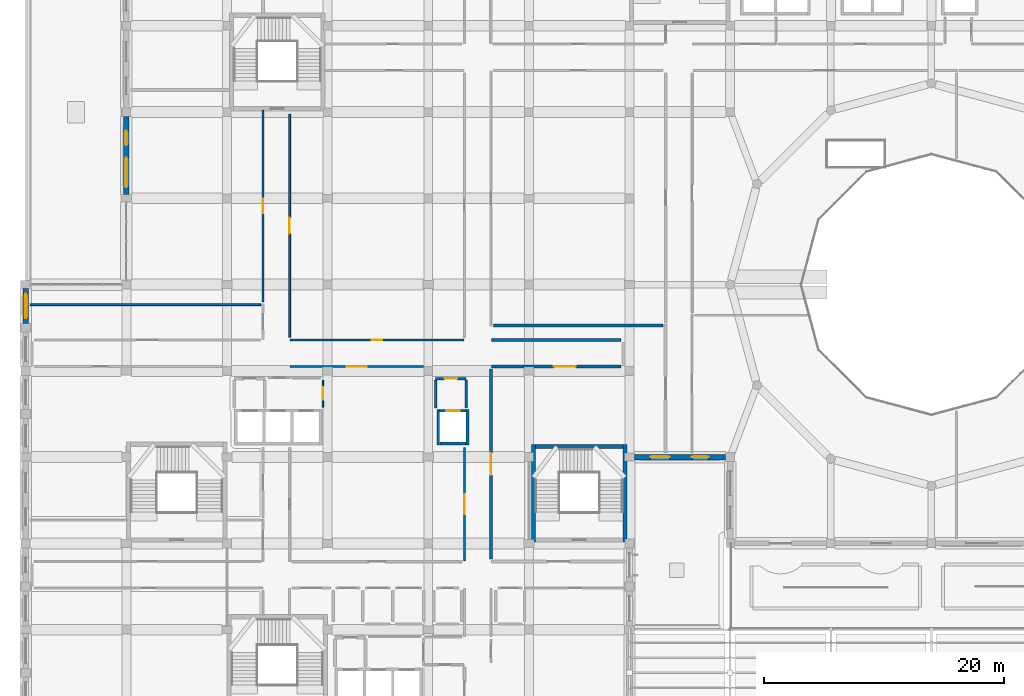
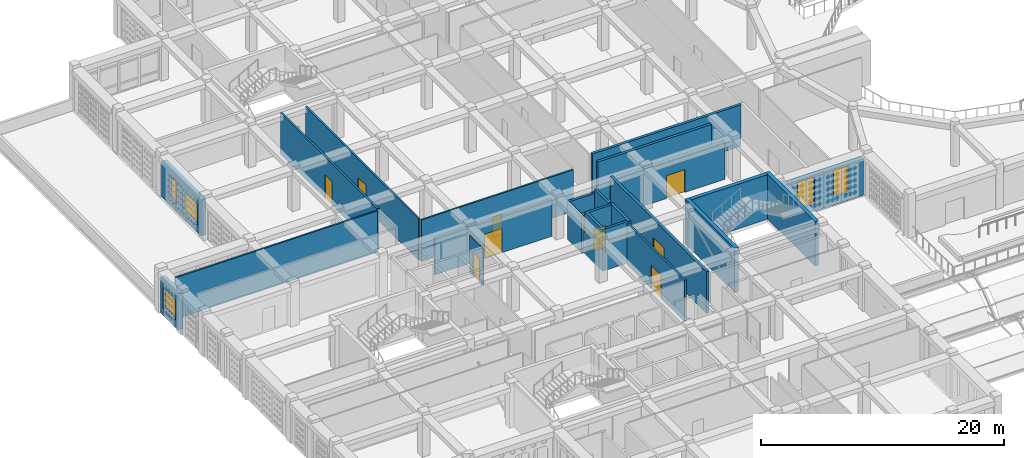
# One storey, part 56 of 100: 24 walls, 10 doors, 5 windows, 15 openings.
"""IFC4 building model written with IfcOpenShell, lengths in metres."""

from ifc_helpers import new_model, si_unit, derived_unit, direction, frame, frame_2d, origin, place, context, subcontext, project, spatial, rectangle, extrude, material, layer, layer_set, type_object, element, fill, save


model = new_model("IFC4")

# Units and contexts
model_context = context("Model", 3, precision=1e-05, world=origin(), true_north=direction((0.0, 1.0)))
body_context = subcontext(model_context, "Body", "Model", "MODEL_VIEW")
ifc_project = project(units=[si_unit("LENGTHUNIT", "METRE"), si_unit("AREAUNIT", "SQUARE_METRE"), si_unit("VOLUMEUNIT", "CUBIC_METRE"), si_unit("PLANEANGLEUNIT", "RADIAN"), si_unit("MASSUNIT", "GRAM", prefix="KILO"), derived_unit("THERMALTRANSMITTANCEUNIT", [(si_unit("POWERUNIT", "WATT"), 1), (si_unit("LENGTHUNIT", "METRE"), -2), (si_unit("THERMODYNAMICTEMPERATUREUNIT", "KELVIN"), -1)])], contexts=[model_context])

# Site, building, storey
site_placement = place(None, origin())
site = spatial("IfcSite", under=ifc_project, at=site_placement, CompositionType="ELEMENT")
building_placement = place(site_placement, origin())
building = spatial("IfcBuilding", under=site, at=building_placement, Name="Veybourne Emporium", CompositionType="ELEMENT")
storey_placement = place(building_placement, frame((0.0, 0.0, 14.39990234375)))
storey = spatial("IfcBuildingStorey", under=building, at=storey_placement, Name="L03", CompositionType="ELEMENT", Elevation=14.39990234375)

# Wall, opening, window
ifc_material_1 = material(Name="Portland Limestone Ashlar", Category="masonry")
ifc_layer_1 = layer(ifc_material_1, 0.47998046875)
ifc_layer_set_1 = layer_set([ifc_layer_1], Name="Portland Limestone Ashlar")
wall_type_1 = type_object("IfcWallType", Name="ExtWall_EW-01", PredefinedType="SOLIDWALL", material=ifc_layer_set_1)
wall_1_placement = place(storey_placement, frame((0.0, 47.169921875, 0.0), z_axis=(0.0, 0.0, 1.0), x_axis=(0.0, 1.0, 0.0)))
wall_1 = element("IfcWall", 1, at=wall_1_placement, inside=storey, type_object=wall_type_1, Name="L03 Portland stone external wall 007B", PredefinedType="SOLIDWALL", context=body_context, shape_type="SweptSolid", body=[
    extrude(rectangle(XDim=2.905029296875, YDim=0.47998046875, at=frame_2d((1.45263671875, 0.0))), origin(), (0.0, 0.0, 1.0), 3.630126953125),
])
opening_1_placement = place(wall_1_placement, frame((0.427490234375, 0.0, 0.75)))
opening_1 = element("IfcOpeningElement", 2, at=opening_1_placement, cuts=wall_1, Name="Opening W-15", PredefinedType="OPENING", context=body_context, shape_type="SweptSolid", body=[
    extrude(rectangle(XDim=2.050048828125, YDim=2.080078125, at=frame_2d((1.02490234375, 1.0400390625))), frame((0.0, 0.260009765625, 0.0), z_axis=(0.0, -1.0, 0.0), x_axis=(1.0, 0.0, 0.0)), (0.0, 0.0, 1.0), 0.52001953125),
])
ifc_material_2 = material(Name="Low-E Triple Glazing", Category="glass")
window_type_1 = type_object("IfcWindowType", Name="Win_W-15", PartitioningType="TRIPLE_PANEL_VERTICAL", PredefinedType="WINDOW", material=ifc_material_2)
window_1_placement = place(opening_1_placement, origin())
window_1 = element("IfcWindow", 3, at=window_1_placement, inside=storey, type_object=window_type_1, Name="L03 tripartite bronze casement window W-15 (7B)", OverallHeight=2.080078125, OverallWidth=2.050048828125, PartitioningType="TRIPLE_PANEL_VERTICAL", PredefinedType="WINDOW", context=body_context, shape_type="SweptSolid", body=[
    extrude(rectangle(XDim=2.050048828125, YDim=2.080078125, at=frame_2d((1.02490234375, 1.0400390625))), frame((0.0, 0.030029296875, 0.0), z_axis=(0.0, -1.0, 0.0), x_axis=(1.0, 0.0, 0.0)), (0.0, 0.0, 1.0), 0.06005859375),
])
fill(opening_1, window_1)

# Wall, openings, windows
wall_2_placement = place(storey_placement, frame((8.39990234375, 57.925048828125, 0.0), z_axis=(0.0, 0.0, 1.0), x_axis=(0.0, 1.0, 0.0)))
wall_2 = element("IfcWall", 4, at=wall_2_placement, inside=storey, type_object=wall_type_1, Name="L03 Portland stone external wall 010", PredefinedType="SOLIDWALL", context=body_context, shape_type="SweptSolid", body=[
    extrude(rectangle(XDim=6.52490234375, YDim=0.47998046875, at=frame_2d((3.262451171875, 0.0))), origin(), (0.0, 0.0, 1.0), 3.630126953125),
])
opening_2_placement = place(wall_2_placement, frame((0.5869140625, 0.0, 0.75)))
opening_2 = element("IfcOpeningElement", 5, at=opening_2_placement, cuts=wall_2, Name="Opening W-16", PredefinedType="OPENING", context=body_context, shape_type="SweptSolid", body=[
    extrude(rectangle(XDim=2.47998046875, YDim=2.080078125, at=frame_2d((1.239990234375, 1.0400390625))), frame((0.0, 0.260009765625, 0.0), z_axis=(0.0, -1.0, 0.0), x_axis=(1.0, 0.0, 0.0)), (0.0, 0.0, 1.0), 0.52001953125),
])
opening_3_placement = place(wall_2_placement, frame((4.097900390625, 0.0, 0.75)))
opening_3 = element("IfcOpeningElement", 6, at=opening_3_placement, cuts=wall_2, Name="Opening W-17", PredefinedType="OPENING", context=body_context, shape_type="SweptSolid", body=[
    extrude(rectangle(XDim=1.199951171875, YDim=2.260009765625, at=frame_2d((0.60009765625, 1.1298828125))), frame((0.0, 0.260009765625, 0.0), z_axis=(0.0, -1.0, 0.0), x_axis=(1.0, 0.0, 0.0)), (0.0, 0.0, 1.0), 0.52001953125),
])
window_type_2 = type_object("IfcWindowType", Name="Win_W-16", PartitioningType="TRIPLE_PANEL_VERTICAL", PredefinedType="WINDOW", material=ifc_material_2)
window_2_placement = place(opening_2_placement, origin())
window_2 = element("IfcWindow", 7, at=window_2_placement, inside=storey, type_object=window_type_2, Name="L03 tripartite bronze casement window W-16 (10.1)", OverallHeight=2.080078125, OverallWidth=2.47998046875, PartitioningType="TRIPLE_PANEL_VERTICAL", PredefinedType="WINDOW", context=body_context, shape_type="SweptSolid", body=[
    extrude(rectangle(XDim=2.47998046875, YDim=2.080078125, at=frame_2d((1.239990234375, 1.0400390625))), frame((0.0, 0.030029296875, 0.0), z_axis=(0.0, -1.0, 0.0), x_axis=(1.0, 0.0, 0.0)), (0.0, 0.0, 1.0), 0.06005859375),
])
fill(opening_2, window_2)
window_type_3 = type_object("IfcWindowType", Name="Win_W-17", PartitioningType="SINGLE_PANEL", PredefinedType="WINDOW", material=ifc_material_2)
window_3_placement = place(opening_3_placement, origin())
window_3 = element("IfcWindow", 8, at=window_3_placement, inside=storey, type_object=window_type_3, Name="L03 tripartite bronze casement window W-17 (10.2)", OverallHeight=2.260009765625, OverallWidth=1.199951171875, PartitioningType="SINGLE_PANEL", PredefinedType="WINDOW", context=body_context, shape_type="SweptSolid", body=[
    extrude(rectangle(XDim=1.199951171875, YDim=2.260009765625, at=frame_2d((0.60009765625, 1.1298828125))), frame((0.0, 0.030029296875, 0.0), z_axis=(0.0, -1.0, 0.0), x_axis=(1.0, 0.0, 0.0)), (0.0, 0.0, 1.0), 0.06005859375),
])
fill(opening_3, window_3)

wall_3_placement = place(storey_placement, frame((58.425048828125, 36.0, 0.0), z_axis=(0.0, 0.0, 1.0), x_axis=(-1.0, 0.0, 0.0)))
wall_3 = element("IfcWall", 9, at=wall_3_placement, inside=storey, type_object=wall_type_1, Name="L03 Portland stone external wall 032", PredefinedType="SOLIDWALL", context=body_context, shape_type="SweptSolid", body=[
    extrude(rectangle(XDim=7.60009765625, YDim=0.47998046875, at=frame_2d((3.800048828125, 0.0))), origin(), (0.0, 0.0, 1.0), 3.630126953125),
])
opening_4_placement = place(wall_3_placement, frame((1.427978515625, 0.0, 0.75)))
opening_4 = element("IfcOpeningElement", 10, at=opening_4_placement, cuts=wall_3, Name="Opening W-42", PredefinedType="OPENING", context=body_context, shape_type="SweptSolid", body=[
    extrude(rectangle(XDim=1.39990234375, YDim=2.72998046875, at=frame_2d((0.699951171875, 1.364990234375))), frame((0.0, 0.260009765625, 0.0), z_axis=(0.0, -1.0, 0.0), x_axis=(1.0, 0.0, 0.0)), (0.0, 0.0, 1.0), 0.52001953125),
])
opening_5_placement = place(wall_3_placement, frame((4.672119140625, 0.0, 0.75)))
opening_5 = element("IfcOpeningElement", 11, at=opening_5_placement, cuts=wall_3, Name="Opening W-43", PredefinedType="OPENING", context=body_context, shape_type="SweptSolid", body=[
    extrude(rectangle(XDim=1.60009765625, YDim=2.72998046875, at=frame_2d((0.800048828125, 1.364990234375))), frame((0.0, 0.260009765625, 0.0), z_axis=(0.0, -1.0, 0.0), x_axis=(1.0, 0.0, 0.0)), (0.0, 0.0, 1.0), 0.52001953125),
])
window_type_4 = type_object("IfcWindowType", Name="Win_W-42", PartitioningType="DOUBLE_PANEL_VERTICAL", PredefinedType="WINDOW", material=ifc_material_2)
window_4_placement = place(opening_4_placement, origin())
window_4 = element("IfcWindow", 12, at=window_4_placement, inside=storey, type_object=window_type_4, Name="L03 tripartite bronze casement window W-42 (32.1)", OverallHeight=2.72998046875, OverallWidth=1.39990234375, PartitioningType="DOUBLE_PANEL_VERTICAL", PredefinedType="WINDOW", context=body_context, shape_type="SweptSolid", body=[
    extrude(rectangle(XDim=1.39990234375, YDim=2.72998046875, at=frame_2d((0.699951171875, 1.364990234375))), frame((0.0, 0.030029296875, 0.0), z_axis=(0.0, -1.0, 0.0), x_axis=(1.0, 0.0, 0.0)), (0.0, 0.0, 1.0), 0.06005859375),
])
fill(opening_4, window_4)
window_type_5 = type_object("IfcWindowType", Name="Win_W-43", PartitioningType="DOUBLE_PANEL_VERTICAL", PredefinedType="WINDOW", material=ifc_material_2)
window_5_placement = place(opening_5_placement, origin())
window_5 = element("IfcWindow", 13, at=window_5_placement, inside=storey, type_object=window_type_5, Name="L03 tripartite bronze casement window W-43 (32.2)", OverallHeight=2.72998046875, OverallWidth=1.60009765625, PartitioningType="DOUBLE_PANEL_VERTICAL", PredefinedType="WINDOW", context=body_context, shape_type="SweptSolid", body=[
    extrude(rectangle(XDim=1.60009765625, YDim=2.72998046875, at=frame_2d((0.800048828125, 1.364990234375))), frame((0.0, 0.030029296875, 0.0), z_axis=(0.0, -1.0, 0.0), x_axis=(1.0, 0.0, 0.0)), (0.0, 0.0, 1.0), 0.06005859375),
])
fill(opening_5, window_5)

# Walls
ifc_material_3 = material(Name="Concrete C40/50", Category="concrete")
ifc_layer_2 = layer(ifc_material_3, 0.35009765625)
ifc_layer_set_2 = layer_set([ifc_layer_2], Name="Concrete C40/50")
wall_type_2 = type_object("IfcWallType", Name="IntWall_CW-02", PredefinedType="SHEAR", material=ifc_layer_set_2)
wall_4_placement = place(storey_placement, frame((42.550048828125, 36.875, 0.0), z_axis=(0.0, 0.0, 1.0), x_axis=(1.0, 0.0, 0.0)))
element("IfcWall", 14, at=wall_4_placement, inside=storey, type_object=wall_type_2, Name="Core stair ST-05 north shear wall (L03)", PredefinedType="SHEAR", context=body_context, shape_type="SweptSolid", body=[
    extrude(rectangle(XDim=7.300048828125, YDim=0.35009765625, at=frame_2d((3.64990234375, 0.0))), origin(), (0.0, 0.0, 1.0), 4.5),
])
for number, where, z_axis, x_axis, name in (
    (15, (42.375, 37.050048828125, 0.0), (0.0, 0.0, 1.0), (0.0, -1.0, 0.0), "Core stair ST-05 west shear wall (L03)"),
    (16, (50.02490234375, 28.89990234375, 0.0), (0.0, 0.0, 1.0), (0.0, 1.0, 0.0), "Core stair ST-05 east shear wall (L03)"),
):
    element("IfcWall", number, at=place(storey_placement, frame(where, z_axis=z_axis, x_axis=x_axis)), inside=storey, type_object=wall_type_2, Name=name, PredefinedType="SHEAR", context=body_context, shape_type="SweptSolid", body=[
        extrude(rectangle(XDim=8.150146484375, YDim=0.35009765625, at=frame_2d((4.0751953125, 0.0))), origin(), (0.0, 0.0, 1.0), 4.5),
    ])

# Wall, opening, door
ifc_layer_3 = layer(ifc_material_3, 0.239990234375)
ifc_layer_set_3 = layer_set([ifc_layer_3], Name="Concrete C40/50")
wall_type_3 = type_object("IfcWallType", Name="IntWall_CW-04", PredefinedType="SHEAR", material=ifc_layer_set_3)
wall_5_placement = place(storey_placement, frame((36.760009765625, 39.8701171875, 0.0), z_axis=(0.0, 0.0, 1.0), x_axis=(-1.0, 0.0, 0.0)))
wall_5 = element("IfcWall", 17, at=wall_5_placement, inside=storey, type_object=wall_type_3, Name="Lift core C3 north shaft wall (L03)", PredefinedType="SHEAR", context=body_context, shape_type="SweptSolid", body=[
    extrude(rectangle(XDim=2.199951171875, YDim=0.239990234375, at=frame_2d((1.10009765625, 0.0))), origin(), (0.0, 0.0, 1.0), 4.18017578125),
])
opening_6_placement = place(wall_5_placement, frame((0.52490234375, 0.0, 0.0)))
opening_6 = element("IfcOpeningElement", 18, at=opening_6_placement, cuts=wall_5, Name="Opening LD-02", PredefinedType="OPENING", context=body_context, shape_type="SweptSolid", body=[
    extrude(rectangle(XDim=1.14990234375, YDim=2.25, at=frame_2d((0.574951171875, 1.125))), frame((0.0, 0.14013671875, 0.0), z_axis=(0.0, -1.0, 0.0), x_axis=(1.0, 0.0, 0.0)), (0.0, 0.0, 1.0), 0.280029296875),
])
ifc_material_4 = material(Name="Patinated Architectural Bronze", Category="bronze")
door_type_1 = type_object("IfcDoorType", Name="FireDoor_LD-02", OperationType="SLIDING_TO_LEFT", PredefinedType="DOOR", material=ifc_material_4)
door_1_placement = place(opening_6_placement, origin())
door_1 = element("IfcDoor", 19, at=door_1_placement, inside=storey, type_object=door_type_1, Name="Lift FFL-03 sliding landing door (L03)", OperationType="SLIDING_TO_LEFT", OverallHeight=2.25, OverallWidth=1.14990234375, PredefinedType="DOOR", context=body_context, shape_type="SweptSolid", body=[
    extrude(rectangle(XDim=1.14990234375, YDim=2.25, at=frame_2d((0.574951171875, 1.125))), frame((0.0, 0.02490234375, 0.0), z_axis=(0.0, -1.0, 0.0), x_axis=(1.0, 0.0, 0.0)), (0.0, 0.0, 1.0), 0.050048828125),
])
fill(opening_6, door_1)

# Walls
wall_6_placement = place(storey_placement, frame((34.56005859375, 37.1298828125, 0.0), z_axis=(0.0, 0.0, 1.0), x_axis=(1.0, 0.0, 0.0)))
element("IfcWall", 20, at=wall_6_placement, inside=storey, type_object=wall_type_3, Name="Lift core C3 south shaft wall (L03)", PredefinedType="SHEAR", context=body_context, shape_type="SweptSolid", body=[
    extrude(rectangle(XDim=2.199951171875, YDim=0.239990234375, at=frame_2d((1.10009765625, 0.0))), origin(), (0.0, 0.0, 1.0), 4.18017578125),
])
for number, where, z_axis, x_axis, name in (
    (21, (34.43994140625, 39.989990234375, 0.0), (0.0, 0.0, 1.0), (0.0, -1.0, 0.0), "Lift core C3 west shaft wall (L03)"),
    (22, (36.8798828125, 37.010009765625, 0.0), (0.0, 0.0, 1.0), (0.0, 1.0, 0.0), "Lift core C3 east shaft wall (L03)"),
):
    element("IfcWall", number, at=place(storey_placement, frame(where, z_axis=z_axis, x_axis=x_axis)), inside=storey, type_object=wall_type_3, Name=name, PredefinedType="SHEAR", context=body_context, shape_type="SweptSolid", body=[
        extrude(rectangle(XDim=2.97998046875, YDim=0.239990234375, at=frame_2d((1.489990234375, 0.0))), origin(), (0.0, 0.0, 1.0), 4.18017578125),
    ])

# Wall, opening, door
ifc_material_5 = material(Name="Concrete C32/40", Category="concrete")
ifc_layer_4 = layer(ifc_material_5, 0.25)
ifc_layer_set_4 = layer_set([ifc_layer_4], Name="Concrete C32/40")
wall_type_4 = type_object("IfcWallType", Name="IntWall_FW-01", PredefinedType="SOLIDWALL", material=ifc_layer_set_4)
wall_7_placement = place(storey_placement, frame((38.830078125, 27.489990234375, 0.0), z_axis=(0.0, 0.0, 1.0), x_axis=(0.0, 1.0, 0.0)))
wall_7 = element("IfcWall", 23, at=wall_7_placement, inside=storey, type_object=wall_type_4, Name="L03 interior partition FW-01 #019", PredefinedType="SOLIDWALL", context=body_context, shape_type="SweptSolid", body=[
    extrude(rectangle(XDim=15.8701171875, YDim=0.25, at=frame_2d((7.93505859375, 0.0))), origin(), (0.0, 0.0, 1.0), 4.18017578125),
])
opening_7_placement = place(wall_7_placement, frame((7.034912109375, 0.0, 0.0)))
opening_7 = element("IfcOpeningElement", 24, at=opening_7_placement, cuts=wall_7, Name="Opening FD-03", PredefinedType="OPENING", context=body_context, shape_type="SweptSolid", body=[
    extrude(rectangle(XDim=1.800048828125, YDim=2.300048828125, at=frame_2d((0.89990234375, 1.14990234375))), frame((0.0, 0.14501953125, 0.0), z_axis=(0.0, -1.0, 0.0), x_axis=(1.0, 0.0, 0.0)), (0.0, 0.0, 1.0), 0.2900390625),
])
door_type_2 = type_object("IfcDoorType", Name="FireDoor_FD-03", OperationType="DOUBLE_DOOR_SINGLE_SWING", PredefinedType="DOOR", material=ifc_material_4)
door_2_placement = place(opening_7_placement, origin())
door_2 = element("IfcDoor", 25, at=door_2_placement, inside=storey, type_object=door_type_2, Name="L03 interior door FD-03 (PART-L03-019)", OperationType="DOUBLE_DOOR_SINGLE_SWING", OverallHeight=2.300048828125, OverallWidth=1.800048828125, PredefinedType="DOOR", context=body_context, shape_type="SweptSolid", body=[
    extrude(rectangle(XDim=1.800048828125, YDim=2.300048828125, at=frame_2d((0.89990234375, 1.14990234375))), frame((0.0, 0.02490234375, 0.0), z_axis=(0.0, -1.0, 0.0), x_axis=(1.0, 0.0, 0.0)), (0.0, 0.0, 1.0), 0.050048828125),
])
fill(opening_7, door_2)

wall_8_placement = place(storey_placement, frame((38.8798828125, 43.570068359375, 0.0), z_axis=(0.0, 0.0, 1.0), x_axis=(1.0, 0.0, 0.0)))
wall_8 = element("IfcWall", 26, at=wall_8_placement, inside=storey, type_object=wall_type_4, Name="L03 interior partition FW-01 #051", PredefinedType="SOLIDWALL", context=body_context, shape_type="SweptSolid", body=[
    extrude(rectangle(XDim=10.7900390625, YDim=0.25, at=frame_2d((5.39501953125, 0.0))), origin(), (0.0, 0.0, 1.0), 3.72998046875),
])
opening_8_placement = place(wall_8_placement, frame((5.214111328125, 0.0, 0.0)))
opening_8 = element("IfcOpeningElement", 27, at=opening_8_placement, cuts=wall_8, Name="Opening FD-03", PredefinedType="OPENING", context=body_context, shape_type="SweptSolid", body=[
    extrude(rectangle(XDim=1.800048828125, YDim=2.300048828125, at=frame_2d((0.89990234375, 1.14990234375))), frame((0.0, 0.14501953125, 0.0), z_axis=(0.0, -1.0, 0.0), x_axis=(1.0, 0.0, 0.0)), (0.0, 0.0, 1.0), 0.2900390625),
])
door_3_placement = place(opening_8_placement, origin())
door_3 = element("IfcDoor", 28, at=door_3_placement, inside=storey, type_object=door_type_2, Name="L03 interior door FD-03 (PART-L03-051)", OperationType="DOUBLE_DOOR_SINGLE_SWING", OverallHeight=2.300048828125, OverallWidth=1.800048828125, PredefinedType="DOOR", context=body_context, shape_type="SweptSolid", body=[
    extrude(rectangle(XDim=1.800048828125, YDim=2.300048828125, at=frame_2d((0.89990234375, 1.14990234375))), frame((0.0, 0.02490234375, 0.0), z_axis=(0.0, -1.0, 0.0), x_axis=(1.0, 0.0, 0.0)), (0.0, 0.0, 1.0), 0.050048828125),
])
fill(opening_8, door_3)

# Walls
wall_9_placement = place(storey_placement, frame((38.8798828125, 45.780029296875, 0.0), z_axis=(0.0, 0.0, 1.0), x_axis=(1.0, 0.0, 0.0)))
element("IfcWall", 29, at=wall_9_placement, inside=storey, type_object=wall_type_4, Name="L03 interior partition FW-01 #052", PredefinedType="SOLIDWALL", context=body_context, shape_type="SweptSolid", body=[
    extrude(rectangle(XDim=10.7900390625, YDim=0.25, at=frame_2d((5.39501953125, 0.0))), origin(), (0.0, 0.0, 1.0), 4.18017578125),
])
wall_10_placement = place(storey_placement, frame((39.0400390625, 47.0048828125, 0.0), z_axis=(0.0, 0.0, 1.0), x_axis=(1.0, 0.0, 0.0)))
element("IfcWall", 30, at=wall_10_placement, inside=storey, type_object=wall_type_4, Name="L03 interior partition FW-01 #126", PredefinedType="SOLIDWALL", context=body_context, shape_type="SweptSolid", body=[
    extrude(rectangle(XDim=14.169921875, YDim=0.25, at=frame_2d((7.0849609375, 0.0))), origin(), (0.0, 0.0, 1.0), 4.18017578125),
])

# Wall, opening, door
ifc_layer_5 = layer(ifc_material_5, 0.219970703125)
ifc_layer_set_5 = layer_set([ifc_layer_5], Name="Concrete C32/40")
wall_type_5 = type_object("IfcWallType", Name="IntWall_FW-02", PredefinedType="SOLIDWALL", material=ifc_layer_set_5)
wall_11_placement = place(storey_placement, frame((34.219970703125, 42.550048828125, 0.0), z_axis=(0.0, 0.0, 1.0), x_axis=(1.0, 0.0, 0.0)))
wall_11 = element("IfcWall", 31, at=wall_11_placement, inside=storey, type_object=wall_type_5, Name="Firefighting lobby C3 fire wall N (L03)", PredefinedType="SOLIDWALL", context=body_context, shape_type="SweptSolid", body=[
    extrude(rectangle(XDim=2.5400390625, YDim=0.219970703125, at=frame_2d((1.27001953125, 0.0))), origin(), (0.0, 0.0, 1.0), 3.72998046875),
])
opening_9_placement = place(wall_11_placement, frame((0.7451171875, 0.0, 0.0)))
opening_9 = element("IfcOpeningElement", 32, at=opening_9_placement, cuts=wall_11, Name="Opening FD-02", PredefinedType="OPENING", context=body_context, shape_type="SweptSolid", body=[
    extrude(rectangle(XDim=1.050048828125, YDim=2.14990234375, at=frame_2d((0.52490234375, 1.074951171875))), frame((0.0, 0.1298828125, 0.0), z_axis=(0.0, -1.0, 0.0), x_axis=(1.0, 0.0, 0.0)), (0.0, 0.0, 1.0), 0.260009765625),
])
door_type_3 = type_object("IfcDoorType", Name="FireDoor_FD-02", OperationType="NOTDEFINED", PredefinedType="DOOR", material=ifc_material_4)
door_4_placement = place(opening_9_placement, origin())
door_4 = element("IfcDoor", 33, at=door_4_placement, inside=storey, type_object=door_type_3, Name="Firefighting lobby C3 FD60S door N (L03)", OperationType="SINGLE_SWING_LEFT", OverallHeight=2.14990234375, OverallWidth=1.050048828125, PredefinedType="DOOR", context=body_context, shape_type="SweptSolid", body=[
    extrude(rectangle(XDim=1.050048828125, YDim=2.14990234375, at=frame_2d((0.52490234375, 1.074951171875))), frame((0.0, 0.02490234375, 0.0), z_axis=(0.0, -1.0, 0.0), x_axis=(1.0, 0.0, 0.0)), (0.0, 0.0, 1.0), 0.050048828125),
])
fill(opening_9, door_4)

# Walls
wall_12_placement = place(storey_placement, frame((34.219970703125, 40.110107421875, 0.0), z_axis=(0.0, 0.0, 1.0), x_axis=(0.0, 1.0, 0.0)))
element("IfcWall", 34, at=wall_12_placement, inside=storey, type_object=wall_type_5, Name="Firefighting lobby C3 fire wall W (L03)", PredefinedType="SOLIDWALL", context=body_context, shape_type="SweptSolid", body=[
    extrude(rectangle(XDim=2.31982421875, YDim=0.219970703125, at=frame_2d((1.159912109375, 0.0))), origin(), (0.0, 0.0, 1.0), 3.72998046875),
])
wall_13_placement = place(storey_placement, frame((36.760009765625, 40.110107421875, 0.0), z_axis=(0.0, 0.0, 1.0), x_axis=(0.0, 1.0, 0.0)))
element("IfcWall", 35, at=wall_13_placement, inside=storey, type_object=wall_type_5, Name="Firefighting lobby C3 fire wall E (L03)", PredefinedType="SOLIDWALL", context=body_context, shape_type="SweptSolid", body=[
    extrude(rectangle(XDim=2.31982421875, YDim=0.219970703125, at=frame_2d((1.159912109375, 0.0))), origin(), (0.0, 0.0, 1.0), 4.18017578125),
])

# Wall, opening, door
ifc_material_6 = material(Name="Gypsum Acoustic Board", Category="gypsum")
ifc_layer_6 = layer(ifc_material_6, 0.179931640625)
ifc_layer_set_6 = layer_set([ifc_layer_6], Name="Gypsum Acoustic Board")
wall_type_6 = type_object("IfcWallType", Name="IntWall_IW-01", PredefinedType="PARTITIONING", material=ifc_layer_set_6)
wall_14_placement = place(storey_placement, frame((19.820068359375, 48.93994140625, 0.0), z_axis=(0.0, 0.0, 1.0), x_axis=(0.0, 1.0, 0.0)))
wall_14 = element("IfcWall", 36, at=wall_14_placement, inside=storey, type_object=wall_type_6, Name="L03 interior partition IW-01 #017", PredefinedType="PARTITIONING", context=body_context, shape_type="SweptSolid", body=[
    extrude(rectangle(XDim=16.02001953125, YDim=0.179931640625, at=frame_2d((8.010009765625, 0.0))), origin(), (0.0, 0.0, 1.0), 4.18017578125),
])
opening_10_placement = place(wall_14_placement, frame((7.409912109375, 0.0, 0.0)))
opening_10 = element("IfcOpeningElement", 37, at=opening_10_placement, cuts=wall_14, Name="Opening D-27", PredefinedType="OPENING", context=body_context, shape_type="SweptSolid", body=[
    extrude(rectangle(XDim=1.199951171875, YDim=2.3701171875, at=frame_2d((0.60009765625, 1.18505859375))), frame((0.0, 0.10986328125, 0.0), z_axis=(0.0, -1.0, 0.0), x_axis=(1.0, 0.0, 0.0)), (0.0, 0.0, 1.0), 0.219970703125),
])
ifc_material_7 = material(Name="European Oak Veneer and Bronze", Category="wood")
door_type_4 = type_object("IfcDoorType", Name="IntDoor_D-27", OperationType="NOTDEFINED", PredefinedType="DOOR", material=ifc_material_7)
door_5_placement = place(opening_10_placement, origin())
door_5 = element("IfcDoor", 38, at=door_5_placement, inside=storey, type_object=door_type_4, Name="L03 interior door D-27 (PART-L03-017)", OperationType="SINGLE_SWING_LEFT", OverallHeight=2.3701171875, OverallWidth=1.199951171875, PredefinedType="DOOR", context=body_context, shape_type="SweptSolid", body=[
    extrude(rectangle(XDim=1.199951171875, YDim=2.3701171875, at=frame_2d((0.60009765625, 1.18505859375))), frame((0.0, 0.02490234375, 0.0), z_axis=(0.0, -1.0, 0.0), x_axis=(1.0, 0.0, 0.0)), (0.0, 0.0, 1.0), 0.050048828125),
])
fill(opening_10, door_5)

wall_15_placement = place(storey_placement, frame((22.080078125, 43.570068359375, 0.0), z_axis=(0.0, 0.0, 1.0), x_axis=(1.0, 0.0, 0.0)))
wall_15 = element("IfcWall", 39, at=wall_15_placement, inside=storey, type_object=wall_type_6, Name="L03 interior partition IW-01 #026", PredefinedType="PARTITIONING", context=body_context, shape_type="SweptSolid", body=[
    extrude(rectangle(XDim=11.125, YDim=0.179931640625, at=frame_2d((5.5625, 0.0))), origin(), (0.0, 0.0, 1.0), 3.72998046875),
])
opening_11_placement = place(wall_15_placement, frame((4.722412109375, 0.0, 0.0)))
opening_11 = element("IfcOpeningElement", 40, at=opening_11_placement, cuts=wall_15, Name="Opening D-36", PredefinedType="OPENING", context=body_context, shape_type="SweptSolid", body=[
    extrude(rectangle(XDim=1.679931640625, YDim=2.449951171875, at=frame_2d((0.83984375, 1.22509765625))), frame((0.0, 0.10986328125, 0.0), z_axis=(0.0, -1.0, 0.0), x_axis=(1.0, 0.0, 0.0)), (0.0, 0.0, 1.0), 0.219970703125),
])
door_type_5 = type_object("IfcDoorType", Name="IntDoor_D-36", OperationType="DOUBLE_DOOR_SINGLE_SWING", PredefinedType="DOOR", material=ifc_material_7)
door_6_placement = place(opening_11_placement, origin())
door_6 = element("IfcDoor", 41, at=door_6_placement, inside=storey, type_object=door_type_5, Name="L03 interior door D-36 (PART-L03-026)", OperationType="DOUBLE_DOOR_SINGLE_SWING", OverallHeight=2.449951171875, OverallWidth=1.679931640625, PredefinedType="DOOR", context=body_context, shape_type="SweptSolid", body=[
    extrude(rectangle(XDim=1.679931640625, YDim=2.449951171875, at=frame_2d((0.83984375, 1.22509765625))), frame((0.0, 0.02490234375, 0.0), z_axis=(0.0, -1.0, 0.0), x_axis=(1.0, 0.0, 0.0)), (0.0, 0.0, 1.0), 0.050048828125),
])
fill(opening_11, door_6)

wall_16_placement = place(storey_placement, frame((36.6201171875, 27.330078125, 0.0), z_axis=(0.0, 0.0, 1.0), x_axis=(0.0, 1.0, 0.0)))
wall_16 = element("IfcWall", 42, at=wall_16_placement, inside=storey, type_object=wall_type_6, Name="L03 interior partition IW-01 #056", PredefinedType="PARTITIONING", context=body_context, shape_type="SweptSolid", body=[
    extrude(rectangle(XDim=9.469970703125, YDim=0.179931640625, at=frame_2d((4.73486328125, 0.0))), origin(), (0.0, 0.0, 1.0), 4.18017578125),
])
opening_12_placement = place(wall_16_placement, frame((3.89501953125, 0.0, 0.0)))
opening_12 = element("IfcOpeningElement", 43, at=opening_12_placement, cuts=wall_16, Name="Opening D-30", PredefinedType="OPENING", context=body_context, shape_type="SweptSolid", body=[
    extrude(rectangle(XDim=1.679931640625, YDim=2.3701171875, at=frame_2d((0.83984375, 1.18505859375))), frame((0.0, 0.10986328125, 0.0), z_axis=(0.0, -1.0, 0.0), x_axis=(1.0, 0.0, 0.0)), (0.0, 0.0, 1.0), 0.219970703125),
])
door_type_6 = type_object("IfcDoorType", Name="IntDoor_D-30", OperationType="DOUBLE_DOOR_SINGLE_SWING", PredefinedType="DOOR", material=ifc_material_7)
door_7_placement = place(opening_12_placement, origin())
door_7 = element("IfcDoor", 44, at=door_7_placement, inside=storey, type_object=door_type_6, Name="L03 interior door D-30 (PART-L03-056)", OperationType="DOUBLE_DOOR_SINGLE_SWING", OverallHeight=2.3701171875, OverallWidth=1.679931640625, PredefinedType="DOOR", context=body_context, shape_type="SweptSolid", body=[
    extrude(rectangle(XDim=1.679931640625, YDim=2.3701171875, at=frame_2d((0.83984375, 1.18505859375))), frame((0.0, 0.02490234375, 0.0), z_axis=(0.0, -1.0, 0.0), x_axis=(1.0, 0.0, 0.0)), (0.0, 0.0, 1.0), 0.050048828125),
])
fill(opening_12, door_7)

ifc_layer_7 = layer(ifc_material_6, 0.14990234375)
ifc_layer_set_7 = layer_set([ifc_layer_7], Name="Gypsum Acoustic Board")
wall_type_7 = type_object("IfcWallType", Name="IntWall_IW-02", PredefinedType="PARTITIONING", material=ifc_layer_set_7)
wall_17_placement = place(storey_placement, frame((22.030029296875, 45.989990234375, 0.0), z_axis=(0.0, 0.0, 1.0), x_axis=(0.0, 1.0, 0.0)))
wall_17 = element("IfcWall", 45, at=wall_17_placement, inside=storey, type_object=wall_type_7, Name="L03 interior partition IW-02 #012", PredefinedType="PARTITIONING", context=body_context, shape_type="SweptSolid", body=[
    extrude(rectangle(XDim=18.646484375, YDim=0.14990234375, at=frame_2d((9.3232421875, 0.0))), origin(), (0.0, 0.0, 1.0), 4.18017578125),
])
opening_13_placement = place(wall_17_placement, frame((8.643310546875, 0.0, 0.0)))
opening_13 = element("IfcOpeningElement", 46, at=opening_13_placement, cuts=wall_17, Name="Opening D-22", PredefinedType="OPENING", context=body_context, shape_type="SweptSolid", body=[
    extrude(rectangle(XDim=1.360107421875, YDim=2.2900390625, at=frame_2d((0.68017578125, 1.14501953125))), frame((0.0, 0.094970703125, 0.0), z_axis=(0.0, -1.0, 0.0), x_axis=(1.0, 0.0, 0.0)), (0.0, 0.0, 1.0), 0.18994140625),
])
door_type_7 = type_object("IfcDoorType", Name="IntDoor_D-22", OperationType="NOTDEFINED", PredefinedType="DOOR", material=ifc_material_7)
door_8_placement = place(opening_13_placement, origin())
door_8 = element("IfcDoor", 47, at=door_8_placement, inside=storey, type_object=door_type_7, Name="L03 interior door D-22 (PART-L03-012)", OperationType="SINGLE_SWING_LEFT", OverallHeight=2.2900390625, OverallWidth=1.360107421875, PredefinedType="DOOR", context=body_context, shape_type="SweptSolid", body=[
    extrude(rectangle(XDim=1.360107421875, YDim=2.2900390625, at=frame_2d((0.68017578125, 1.14501953125))), frame((0.0, 0.02490234375, 0.0), z_axis=(0.0, -1.0, 0.0), x_axis=(1.0, 0.0, 0.0)), (0.0, 0.0, 1.0), 0.050048828125),
])
fill(opening_13, door_8)

wall_18_placement = place(storey_placement, frame((22.080078125, 45.780029296875, 0.0), z_axis=(0.0, 0.0, 1.0), x_axis=(1.0, 0.0, 0.0)))
wall_18 = element("IfcWall", 48, at=wall_18_placement, inside=storey, type_object=wall_type_7, Name="L03 interior partition IW-02 #027", PredefinedType="PARTITIONING", context=body_context, shape_type="SweptSolid", body=[
    extrude(rectangle(XDim=14.489990234375, YDim=0.14990234375, at=frame_2d((7.2451171875, 0.0))), origin(), (0.0, 0.0, 1.0), 4.18017578125),
])
opening_14_placement = place(wall_18_placement, frame((6.804931640625, 0.0, 0.0)))
opening_14 = element("IfcOpeningElement", 49, at=opening_14_placement, cuts=wall_18, Name="Opening D-01", PredefinedType="OPENING", context=body_context, shape_type="SweptSolid", body=[
    extrude(rectangle(XDim=0.8798828125, YDim=2.050048828125, at=frame_2d((0.43994140625, 1.02490234375))), frame((0.0, 0.094970703125, 0.0), z_axis=(0.0, -1.0, 0.0), x_axis=(1.0, 0.0, 0.0)), (0.0, 0.0, 1.0), 0.18994140625),
])
door_type_8 = type_object("IfcDoorType", Name="IntDoor_D-01", OperationType="NOTDEFINED", PredefinedType="DOOR", material=ifc_material_7)
door_9_placement = place(opening_14_placement, origin())
door_9 = element("IfcDoor", 50, at=door_9_placement, inside=storey, type_object=door_type_8, Name="L03 interior door D-01 (PART-L03-027)", OperationType="SINGLE_SWING_LEFT", OverallHeight=2.050048828125, OverallWidth=0.8798828125, PredefinedType="DOOR", context=body_context, shape_type="SweptSolid", body=[
    extrude(rectangle(XDim=0.8798828125, YDim=2.050048828125, at=frame_2d((0.43994140625, 1.02490234375))), frame((0.0, 0.02490234375, 0.0), z_axis=(0.0, -1.0, 0.0), x_axis=(1.0, 0.0, 0.0)), (0.0, 0.0, 1.0), 0.050048828125),
])
fill(opening_14, door_9)

# Wall
wall_19_placement = place(storey_placement, frame((0.3701171875, 48.72998046875, 0.0), z_axis=(0.0, 0.0, 1.0), x_axis=(1.0, 0.0, 0.0)))
element("IfcWall", 51, at=wall_19_placement, inside=storey, type_object=wall_type_7, Name="L03 interior partition IW-02 #123", PredefinedType="PARTITIONING", context=body_context, shape_type="SweptSolid", body=[
    extrude(rectangle(XDim=19.239990234375, YDim=0.14990234375, at=frame_2d((9.6201171875, 0.0))), origin(), (0.0, 0.0, 1.0), 4.18017578125),
])

# Wall, opening, door
ifc_layer_8 = layer(ifc_material_6, 0.1201171875)
ifc_layer_set_8 = layer_set([ifc_layer_8], Name="Gypsum Acoustic Board")
wall_type_8 = type_object("IfcWallType", Name="IntWall_IW-03", PredefinedType="PARTITIONING", material=ifc_layer_set_8)
wall_20_placement = place(storey_placement, frame((24.800048828125, 40.177978515625, 0.0), z_axis=(0.0, 0.0, 1.0), x_axis=(0.0, 1.0, 0.0)))
wall_20 = element("IfcWall", 52, at=wall_20_placement, inside=storey, type_object=wall_type_8, Name="L03 interior partition IW-03 #088", PredefinedType="PARTITIONING", context=body_context, shape_type="SweptSolid", body=[
    extrude(rectangle(XDim=2.241943359375, YDim=0.1201171875, at=frame_2d((1.12109375, 0.0))), origin(), (0.0, 0.0, 1.0), 3.72998046875),
])
opening_15_placement = place(wall_20_placement, frame((0.60107421875, 0.0, 0.0)))
opening_15 = element("IfcOpeningElement", 53, at=opening_15_placement, cuts=wall_20, Name="Opening D-26", PredefinedType="OPENING", context=body_context, shape_type="SweptSolid", body=[
    extrude(rectangle(XDim=1.0400390625, YDim=2.3701171875, at=frame_2d((0.52001953125, 1.18505859375))), frame((0.0, 0.080078125, 0.0), z_axis=(0.0, -1.0, 0.0), x_axis=(1.0, 0.0, 0.0)), (0.0, 0.0, 1.0), 0.16015625),
])
door_type_9 = type_object("IfcDoorType", Name="IntDoor_D-26", OperationType="NOTDEFINED", PredefinedType="DOOR", material=ifc_material_7)
door_10_placement = place(opening_15_placement, origin())
door_10 = element("IfcDoor", 54, at=door_10_placement, inside=storey, type_object=door_type_9, Name="L03 interior door D-26 (PART-L03-088)", OperationType="SINGLE_SWING_RIGHT", OverallHeight=2.3701171875, OverallWidth=1.0400390625, PredefinedType="DOOR", context=body_context, shape_type="SweptSolid", body=[
    extrude(rectangle(XDim=1.0400390625, YDim=2.3701171875, at=frame_2d((0.52001953125, 1.18505859375))), frame((0.0, 0.02490234375, 0.0), z_axis=(0.0, -1.0, 0.0), x_axis=(1.0, 0.0, 0.0)), (0.0, 0.0, 1.0), 0.050048828125),
])
fill(opening_15, door_10)

save(model, "model.ifc")
